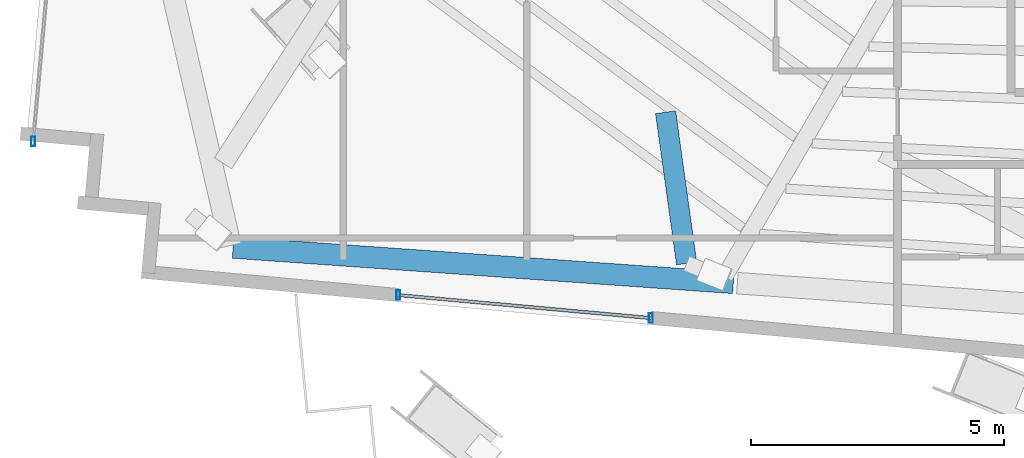
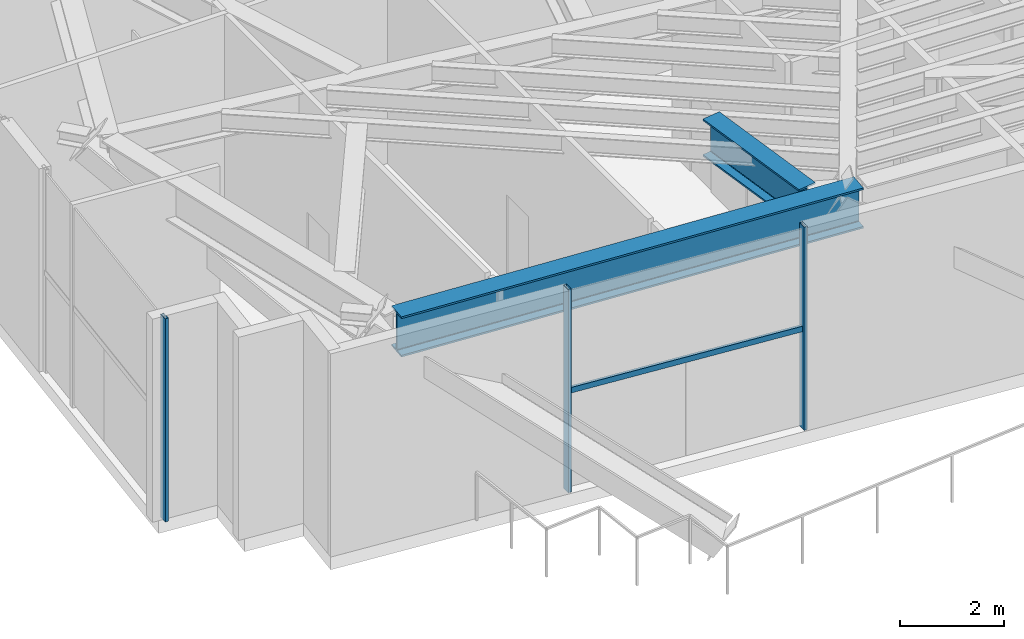
# One storey, part 2 of 20: 4 members, 2 beams, 2 elements without a shape of their own.
"""IFC4 building model written with IfcOpenShell, lengths in metres."""

from ifc_helpers import new_model, si_unit, direction, frame, origin, origin_2d, place, context, subcontext, project, spatial, hollow_rectangle, i_section, extrude, source, transform, mapped, material, material_profile, profile_set, type_object, type_shapes, element, aggregate, save


model = new_model("IFC4")

# Units and contexts
model_context = context("Model", 3, precision=1e-05, world=origin(), true_north=direction((0.0, 1.0)))
body_context = subcontext(model_context, "Body", "Model", "MODEL_VIEW")
ifc_project = project(units=[si_unit("LENGTHUNIT", "METRE"), si_unit("AREAUNIT", "SQUARE_METRE"), si_unit("VOLUMEUNIT", "CUBIC_METRE"), si_unit("PLANEANGLEUNIT", "RADIAN"), si_unit("MASSUNIT", "GRAM", prefix="KILO")], contexts=[model_context])

# Site, building, storey
site_placement = place(None, origin())
site = spatial("IfcSite", under=ifc_project, at=site_placement, CompositionType="ELEMENT")
building_placement = place(site_placement, origin())
building = spatial("IfcBuilding", under=site, at=building_placement, Name="Astriad Promenade Condominiums", CompositionType="ELEMENT")
storey_placement = place(building_placement, frame((0.0, 0.0, 211.39990234375)))
storey = spatial("IfcBuildingStorey", under=building, at=storey_placement, Name="L61", CompositionType="ELEMENT", Elevation=211.39990234375)

# Beams
ifc_material_1 = material(Name="Steel ASTM A992 Grade 50", Category="steel")
ifc_material_profile_1 = material_profile(ifc_material_1, i_section(OverallWidth=0.423095703125, OverallDepth=0.9482421875, WebThickness=0.02392578125, FlangeThickness=0.042724609375, FilletRadius=0.024169921875, at=origin_2d()), Name="W36X302")
ifc_profile_set_1 = profile_set([ifc_material_profile_1], Name="Steel ASTM A992 Grade 50")
beam_type_1 = type_object("IfcBeamType", Name="STEEL PERIMETER RING GIRDER W36X302", PredefinedType="BEAM", material=ifc_profile_set_1)
shared_shape_1 = source(origin(), body_context, "Body", "SweptSolid", [
    extrude(i_section(OverallWidth=0.423095703125, OverallDepth=0.9482421875, WebThickness=0.02392578125, FlangeThickness=0.042724609375, FilletRadius=0.024169921875, at=origin_2d()), origin(), (0.0, 0.0, 1.0), 9.9072265625),
])
type_shapes(beam_type_1, [shared_shape_1])
beam_1_placement = place(storey_placement, frame((12.995849609375, 11.638427734375, 4.305908203125), z_axis=(0.997511585316, -0.070502745759, 0.0), x_axis=(0.070502745759, 0.997511585316, 0.0)))
element("IfcBeam", 1, at=beam_1_placement, inside=storey, type_object=beam_type_1, Name="Perimeter Spandrel Beam SP-S1-L61", PredefinedType="BEAM", context=body_context, shape_type="MappedRepresentation", body=[
    mapped(shared_shape_1, transform((0.0, 0.0, 0.0), scale=1.0)),
])
ifc_material_profile_2 = material_profile(ifc_material_1, i_section(OverallWidth=0.4013671875, OverallDepth=0.877197265625, WebThickness=0.022216796875, FlangeThickness=0.039794921875, FilletRadius=0.02294921875, at=origin_2d()), Name="W33X263")
ifc_profile_set_2 = profile_set([ifc_material_profile_2], Name="Steel ASTM A992 Grade 50")
beam_type_2 = type_object("IfcBeamType", Name="STEEL TRANSFER CARRIER GIRDER W33X263", PredefinedType="BEAM", material=ifc_profile_set_2)
shared_shape_2 = source(origin(), body_context, "Body", "SweptSolid", [
    extrude(i_section(OverallWidth=0.4013671875, OverallDepth=0.877197265625, WebThickness=0.022216796875, FlangeThickness=0.039794921875, FilletRadius=0.02294921875, at=origin_2d()), origin(), (0.0, 0.0, 1.0), 3.0166015625),
])
type_shapes(beam_type_2, [shared_shape_2])
beam_2_placement = place(storey_placement, frame((21.5400390625, 14.311279296875, 4.341552734375), z_axis=(0.137908020004, -0.990445040383, 0.0), x_axis=(0.990445040383, 0.137908020004, 0.0)))
element("IfcBeam", 2, at=beam_2_placement, inside=storey, type_object=beam_type_2, Name="Transfer Splice Carrier TRM-SP-PC02-L61", PredefinedType="BEAM", context=body_context, shape_type="MappedRepresentation", body=[
    mapped(shared_shape_2, transform((0.0, 0.0, 0.0), scale=1.0)),
])

# Curtain wall, member
ifc_material_2 = material(Name="Anodised aluminium Black Dark Glass Unitised", Category="aluminium")
curtain_wall_type = type_object("IfcCurtainWallType", Name="CW-B5-DARK", PredefinedType="USERDEFINED", material=ifc_material_2)
curtain_wall_1_placement = place(storey_placement, origin())
curtain_wall_1 = element("IfcCurtainWall", 3, at=curtain_wall_1_placement, inside=storey, type_object=curtain_wall_type, Name="CW-L61-W-1", ObjectType="UNITISED_CURTAIN_WALL", PredefinedType="USERDEFINED")
ifc_material_3 = material(Name="Anodised aluminium 6063-T6 Black", Category="aluminium")
ifc_material_profile_3 = material_profile(ifc_material_3, hollow_rectangle(XDim=0.074951171875, YDim=0.18505859375, WallThickness=0.00439453125, at=origin_2d()), Name="ALU-MUL-75X185")
ifc_profile_set_3 = profile_set([ifc_material_profile_3], Name="Anodised aluminium 6063-T6 Black")
member_type_1 = type_object("IfcMemberType", Name="MUL-ALU-MUL-75X185", PredefinedType="MULLION", material=ifc_profile_set_3)
shared_shape_3 = source(origin(), body_context, "Body", "SweptSolid", [
    extrude(hollow_rectangle(XDim=0.074951171875, YDim=0.18505859375, WallThickness=0.00439453125, at=origin_2d()), origin(), (0.0, 0.0, 1.0), 4.780029296875),
])
type_shapes(member_type_1, [shared_shape_3])
member_1_placement = place(storey_placement, frame((9.0458984375, 13.7353515625, 0.0), z_axis=(0.0, 0.0, 1.0), x_axis=(1.0, 0.0, 0.0)))
member_1 = element("IfcMember", 4, at=member_1_placement, type_object=member_type_1, Name="CW-L61-W-1-MUL-00", PredefinedType="MULLION", context=body_context, shape_type="MappedRepresentation", body=[
    mapped(shared_shape_3, transform((0.0, 0.0, 0.0), scale=1.0)),
])
aggregate(curtain_wall_1, [member_1])

# Curtain wall, members
curtain_wall_2_placement = place(storey_placement, origin())
curtain_wall_2 = element("IfcCurtainWall", 5, at=curtain_wall_2_placement, inside=storey, type_object=curtain_wall_type, Name="CW-L61-S-2", ObjectType="UNITISED_CURTAIN_WALL", PredefinedType="USERDEFINED")
member_2_placement = place(storey_placement, frame((21.249755859375, 10.244873046875, 0.0), z_axis=(0.0, 0.0, 1.0), x_axis=(1.0, 0.0, 0.0)))
member_2 = element("IfcMember", 6, at=member_2_placement, type_object=member_type_1, Name="CW-L61-S-2-MUL-00", PredefinedType="MULLION", context=body_context, shape_type="MappedRepresentation", body=[
    mapped(shared_shape_3, transform((0.0, 0.0, 0.0), scale=1.0)),
])
member_3_placement = place(storey_placement, frame((16.26025390625, 10.698974609375, 0.0), z_axis=(0.0, 0.0, 1.0), x_axis=(1.0, 0.0, 0.0)))
member_3 = element("IfcMember", 7, at=member_3_placement, type_object=member_type_1, Name="CW-L61-S-2-MUL-01", PredefinedType="MULLION", context=body_context, shape_type="MappedRepresentation", body=[
    mapped(shared_shape_3, transform((0.0, 0.0, 0.0), scale=1.0)),
])
ifc_material_profile_4 = material_profile(ifc_material_3, hollow_rectangle(XDim=0.06494140625, YDim=0.1298828125, WallThickness=0.00390625, at=origin_2d()), Name="ALU-TRN-65X130")
ifc_profile_set_4 = profile_set([ifc_material_profile_4], Name="Anodised aluminium 6063-T6 Black")
member_type_2 = type_object("IfcMemberType", Name="TRN-ALU-TRN-65X130", PredefinedType="USERDEFINED", material=ifc_profile_set_4)
shared_shape_4 = source(origin(), body_context, "Body", "SweptSolid", [
    extrude(hollow_rectangle(XDim=0.06494140625, YDim=0.1298828125, WallThickness=0.00390625, at=origin_2d()), origin(), (0.0, 0.0, 1.0), 5.010009765625),
])
type_shapes(member_type_2, [shared_shape_4])
member_4_placement = place(storey_placement, frame((21.249755859375, 10.244873046875, 2.35009765625), z_axis=(-0.995884014639, 0.090636799297, 0.0), x_axis=(-0.090636799297, -0.995884014639, 0.0)))
member_4 = element("IfcMember", 8, at=member_4_placement, type_object=member_type_2, Name="CW-L61-S-2-TRN-00-0", ObjectType="TRANSOM", PredefinedType="USERDEFINED", context=body_context, shape_type="MappedRepresentation", body=[
    mapped(shared_shape_4, transform((0.0, 0.0, 0.0), scale=1.0)),
])
aggregate(curtain_wall_2, [member_2, member_3, member_4])

save(model, "model.ifc")
